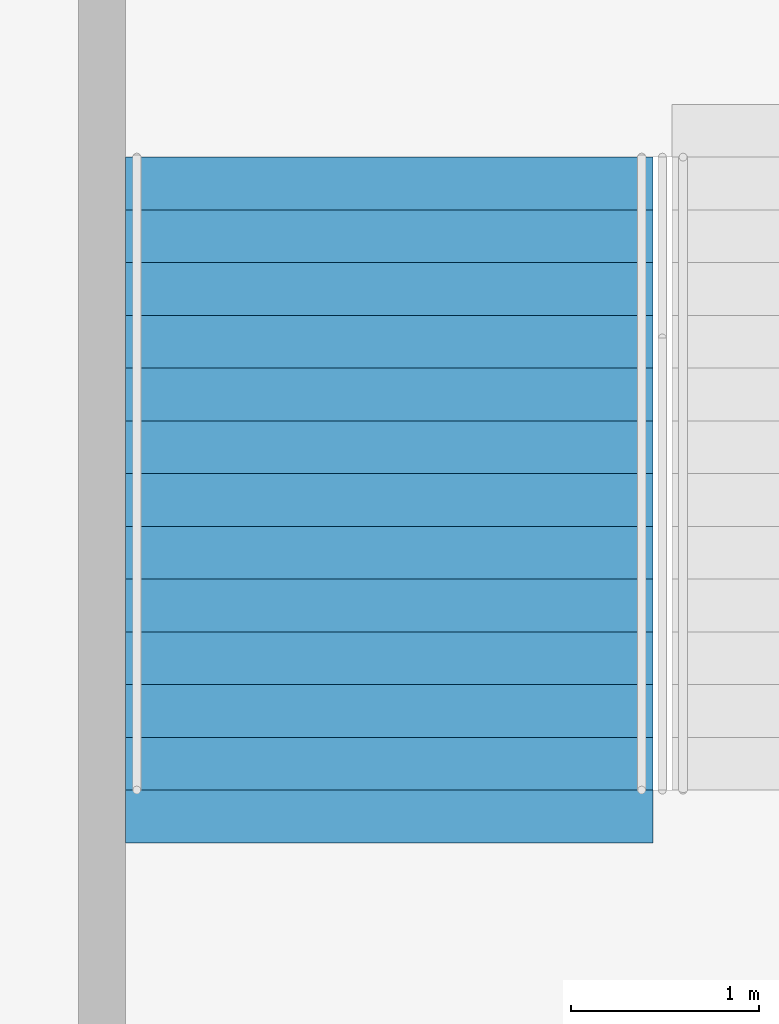
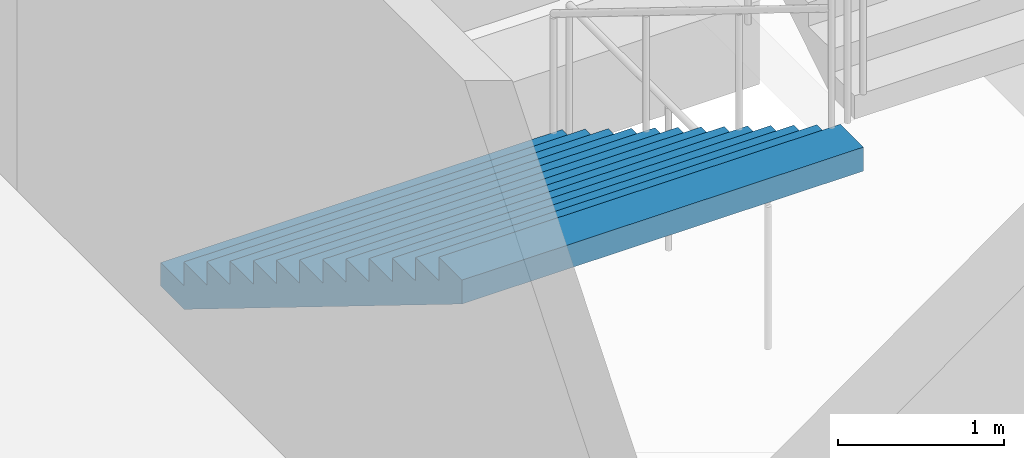
# One storey, part 121 of 199: 1 stair flight, 1 element without a shape of its own.
"""IFC4 building model written with IfcOpenShell, lengths in metres."""

import ifcopenshell
import ifcopenshell.guid

model = None  # the IFC model being written
_history = None  # IfcOwnerHistory: only IFC2X3 demands one
_inside = {}  # id of a spatial element -> (the spatial element, [elements in it])
_under = {}  # id of a project, library or spatial element -> (it, [spatial elements below it])
_declared = {}  # id of a project -> (the project, [libraries it declares])
_typed = {}  # id of a type object -> (the type object, [elements of that type])
_made_of = {}  # id of a material, layer set ... -> (it, [elements and type objects made of it])


def new_model(schema):
    """Start an empty IFC model of exactly this schema.

    Asked for "IFC4X3", IfcOpenShell would pick the latest addendum, in which some entities
    have other attributes; the version numbers below select the first issue.
    IFC2X3 requires an IfcOwnerHistory on every rooted entity: one is made here for all.
    """
    global model, _history
    if schema == "IFC4X3":
        model = ifcopenshell.file(schema_version=(4, 3, 0, 0))
    else:
        model = ifcopenshell.file(schema=schema)
    _inside.clear()
    _under.clear()
    _declared.clear()
    _typed.clear()
    _made_of.clear()
    _history = None
    if model.schema == "IFC2X3":
        org = make("IfcOrganization", Name="unknown")
        user = make(
            "IfcPersonAndOrganization",
            ThePerson=make("IfcPerson", FamilyName="unknown"),
            TheOrganization=org,
        )
        app = make(
            "IfcApplication",
            ApplicationDeveloper=org,
            Version="unknown",
            ApplicationFullName="unknown",
            ApplicationIdentifier="unknown",
        )
        _history = make(
            "IfcOwnerHistory",
            OwningUser=user,
            OwningApplication=app,
            ChangeAction="ADDED",
            CreationDate=0,
        )
    return model


def make(cls, **values):
    """One entity of the class cls with the attributes given. An attribute that is None is left unset."""
    return model.create_entity(
        cls, **{name: value for name, value in values.items() if value is not None}
    )


def rooted(cls, **values):
    """An entity with a GlobalId (a new one), such as an element, a storey or a relation."""
    return make(cls, GlobalId=ifcopenshell.guid.new(), OwnerHistory=_history, **values)


def si_unit(unit_type, name, prefix=None):
    """IfcSIUnit, for example si_unit("LENGTHUNIT", "METRE", prefix="MILLI")."""
    return make("IfcSIUnit", UnitType=unit_type, Prefix=prefix, Name=name)


def assignment(units):
    """IfcUnitAssignment: the units of a project."""
    return None if units is None else make("IfcUnitAssignment", Units=units)


def point(xyz):
    """IfcCartesianPoint."""
    return None if xyz is None else make("IfcCartesianPoint", Coordinates=xyz)


def direction(xyz):
    """IfcDirection."""
    return None if xyz is None else make("IfcDirection", DirectionRatios=xyz)


def frame(location, z_axis=None, x_axis=None):
    """IfcAxis2Placement3D, a coordinate frame: its origin and axes. An axis left out is left unset."""
    return make(
        "IfcAxis2Placement3D",
        Location=point(location),
        Axis=direction(z_axis),
        RefDirection=direction(x_axis),
    )


def origin():
    """The frame at (0, 0, 0) with its axes left unset."""
    return frame((0.0, 0.0, 0.0))


def place(relative_to, where):
    """IfcLocalPlacement: puts the frame where relative to a parent placement (None: the world)."""
    return make(
        "IfcLocalPlacement", PlacementRelTo=relative_to, RelativePlacement=where
    )


def context(
    kind, dimensions, precision=None, world=None, true_north=None, identifier=None
):
    """IfcGeometricRepresentationContext, for example the 3D "Model" context."""
    return make(
        "IfcGeometricRepresentationContext",
        ContextIdentifier=identifier,
        ContextType=kind,
        CoordinateSpaceDimension=dimensions,
        Precision=precision,
        WorldCoordinateSystem=world,
        TrueNorth=true_north,
    )


def subcontext(parent, identifier, kind, view, scale=None):
    """IfcGeometricRepresentationSubContext, for example "Body" below "Model"."""
    return make(
        "IfcGeometricRepresentationSubContext",
        ContextIdentifier=identifier,
        ContextType=kind,
        ParentContext=parent,
        TargetScale=scale,
        TargetView=view,
    )


def project(units=None, contexts=None):
    """IfcProject with its units and contexts."""
    return rooted(
        "IfcProject",
        Name="project",
        RepresentationContexts=contexts,
        UnitsInContext=assignment(units),
    )


def spatial(cls, under=None, at=None, **own):
    """A site, building, storey or space (cls), placed at a placement, below another one or the project."""
    s = rooted(cls, ObjectPlacement=at, **own)
    if under is not None:
        _under.setdefault(under.id(), (under, []))[1].append(s)
    return s


def faces_of(points, faces, orient=None, outer=None):
    """IfcFace entities. A face is a list of loops; a loop is a list of indices into points, from 0.

    orient and outer hold one flag for each loop. By default every Orientation is true, the
    first loop of a face is its IfcFaceOuterBound and the others are IfcFaceBound.
    """
    made = []
    for i, loops in enumerate(faces):
        bounds = []
        for j, loop in enumerate(loops):
            is_outer = j == 0 if outer is None else outer[i][j]
            bounds.append(
                make(
                    "IfcFaceOuterBound" if is_outer else "IfcFaceBound",
                    Bound=make("IfcPolyLoop", Polygon=[points[k] for k in loop]),
                    Orientation=True if orient is None else orient[i][j],
                )
            )
        made.append(make("IfcFace", Bounds=bounds))
    return made


def faceted_brep(points, faces, orient=None, outer=None, voids=None):
    """IfcFacetedBrep: a solid bounded by flat faces; with voids (closed shells), ...WithVoids."""
    shared = [point(p) for p in points]
    hull = make("IfcClosedShell", CfsFaces=faces_of(shared, faces, orient, outer))
    if voids is None:
        return make("IfcFacetedBrep", Outer=hull)
    return make(
        "IfcFacetedBrepWithVoids",
        Outer=hull,
        Voids=[
            make(cls, CfsFaces=faces_of(shared, fs, o, b)) for cls, fs, o, b in voids
        ],
    )


def shape(context_of_items, identifier, shape_type, items):
    """IfcShapeRepresentation: the items that make up one representation, for example the "Body"."""
    return make(
        "IfcShapeRepresentation",
        ContextOfItems=context_of_items,
        RepresentationIdentifier=identifier,
        RepresentationType=shape_type,
        Items=items,
    )


def material(Name=None, Category=None):
    """IfcMaterial."""
    return make("IfcMaterial", Name=Name, Category=Category)


def made_of(thing, what):
    """Note that an element or type object is made of a material, layer set ...; save() writes the relation."""
    if what is not None:
        _made_of.setdefault(what.id(), (what, []))[1].append(thing)
    return thing


def type_object(cls, material=None, **own):
    """A type object (cls), such as IfcWallType, which elements share."""
    return made_of(rooted(cls, **own), material)


def element(
    cls,
    number,
    at=None,
    inside=None,
    cuts=None,
    type_object=None,
    material=None,
    context=None,
    identifier="Body",
    shape_type=None,
    held_by="IfcProductDefinitionShape",
    body=None,
    shapes=None,
    **own,
):
    """One element of the class cls, such as IfcWall. Its Tag is "e" and its number.

    at: its placement. inside: the storey or other place that contains it. cuts: it is an
    opening in that element (IfcRelVoidsElement). A single representation is given by context,
    identifier, shape_type and body (its items); several are given by shapes. held_by: the class
    of the entity that holds the representations. save() writes the other relations.
    """
    e = rooted(cls, Tag="e%d" % number, ObjectPlacement=at, **own)
    if body is not None:
        shapes = [shape(context, identifier, shape_type, body)]
    if shapes is not None:
        e.Representation = make(held_by, Representations=shapes)
    if inside is not None:
        _inside.setdefault(inside.id(), (inside, []))[1].append(e)
    if cuts is not None:
        rooted(
            "IfcRelVoidsElement", RelatingBuildingElement=cuts, RelatedOpeningElement=e
        )
    if type_object is not None:
        _typed.setdefault(type_object.id(), (type_object, []))[1].append(e)
    return made_of(e, material)


def aggregate(whole, parts):
    """IfcRelAggregates: a whole, such as a stair, and the parts it consists of."""
    return rooted("IfcRelAggregates", RelatingObject=whole, RelatedObjects=parts)


def save(model, path):
    """Write the relations noted so far, then the file.

    IfcRelAggregates (storeys below a building ...), IfcRelContainedInSpatialStructure (elements
    in a storey), IfcRelDefinesByType, IfcRelAssociatesMaterial and IfcRelDeclares: one each for
    every whole, place, type object, material and project.
    """
    for whole, parts in _under.values():
        aggregate(whole, parts)
    for where, things in _inside.values():
        rooted(
            "IfcRelContainedInSpatialStructure",
            RelatedElements=things,
            RelatingStructure=where,
        )
    for kind, things in _typed.values():
        rooted("IfcRelDefinesByType", RelatedObjects=things, RelatingType=kind)
    for what, things in _made_of.values():
        rooted("IfcRelAssociatesMaterial", RelatedObjects=things, RelatingMaterial=what)
    for by, libraries in _declared.values():
        rooted("IfcRelDeclares", RelatingContext=by, RelatedDefinitions=libraries)
    model.write(path)


model = new_model("IFC4")

# Units and contexts
model_context = context("Model", 3, precision=1e-05, world=origin(), true_north=direction((0.0, 1.0)))
body_context = subcontext(model_context, "Body", "Model", "MODEL_VIEW")
ifc_project = project(units=[si_unit("LENGTHUNIT", "METRE"), si_unit("AREAUNIT", "SQUARE_METRE"), si_unit("VOLUMEUNIT", "CUBIC_METRE"), si_unit("PLANEANGLEUNIT", "RADIAN"), si_unit("MASSUNIT", "GRAM", prefix="KILO")], contexts=[model_context])

# Site, building, storey
site_placement = place(None, origin())
site = spatial("IfcSite", under=ifc_project, at=site_placement, CompositionType="ELEMENT")
building_placement = place(site_placement, origin())
building = spatial("IfcBuilding", under=site, at=building_placement, Name="Ogive Plaza Stadium", CompositionType="ELEMENT")
storey_placement = place(building_placement, frame((0.0, 0.0, 9.0)))
storey = spatial("IfcBuildingStorey", under=building, at=storey_placement, Name="L02", CompositionType="ELEMENT", Elevation=9.0)

# Stair, stair flight
ifc_material_1 = material(Name="Concrete C40/50", Category="concrete")
stair_type = type_object("IfcStairType", Name="Exit stair", PredefinedType="STRAIGHT_RUN_STAIR", material=ifc_material_1)
stair_placement = place(storey_placement, origin())
stair = element("IfcStair", 1, at=stair_placement, inside=storey, type_object=stair_type, Name="Exit stair ST12A L02 to L03", PredefinedType="STRAIGHT_RUN_STAIR")
ifc_material_2 = material(Name="Concrete C40/50", Category="concrete")
stair_flight_type = type_object("IfcStairFlightType", Name="Exit stair flight", PredefinedType="STRAIGHT", material=ifc_material_2)
stair_flight_placement = place(storey_placement, frame((29.574951171875, -94.85009765625, 0.0), z_axis=(0.0, 0.0, 1.0), x_axis=(0.0, -1.0, 0.0)))
stair_flight = element("IfcStairFlight", 2, at=stair_flight_placement, type_object=stair_flight_type, Name="ST12A flight 1", NumberOfRisers=13, NumberOfTreads=12, PredefinedType="STRAIGHT", RiserHeight=0.173076923, TreadLength=0.28, context=body_context, shape_type="Brep", body=[
    faceted_brep([(0.28515625, -1.39990234375, 0.0), (3.639892578125, -1.39990234375, 2.07373046875), (3.639892578125, -1.39990234375, 2.25), (3.360107421875, -1.39990234375, 2.25), (3.360107421875, -1.39990234375, 2.076904296875), (3.080078125, -1.39990234375, 2.076904296875), (3.080078125, -1.39990234375, 1.90380859375), (2.800048828125, -1.39990234375, 1.90380859375), (2.800048828125, -1.39990234375, 1.730712890625), (2.52001953125, -1.39990234375, 1.730712890625), (2.52001953125, -1.39990234375, 1.5576171875), (2.239990234375, -1.39990234375, 1.5576171875), (2.239990234375, -1.39990234375, 1.384521484375), (1.9599609375, -1.39990234375, 1.384521484375), (1.9599609375, -1.39990234375, 1.21142578125), (1.679931640625, -1.39990234375, 1.21142578125), (1.679931640625, -1.39990234375, 1.03857421875), (1.39990234375, -1.39990234375, 1.03857421875), (1.39990234375, -1.39990234375, 0.865478515625), (1.1201171875, -1.39990234375, 0.865478515625), (1.1201171875, -1.39990234375, 0.6923828125), (0.840087890625, -1.39990234375, 0.6923828125), (0.840087890625, -1.39990234375, 0.519287109375), (0.56005859375, -1.39990234375, 0.519287109375), (0.56005859375, -1.39990234375, 0.34619140625), (0.280029296875, -1.39990234375, 0.34619140625), (0.280029296875, -1.39990234375, 0.173095703125), (0.0, -1.39990234375, 0.173095703125), (0.0, -1.39990234375, 0.0), (0.0, 1.39990234375, 0.0), (0.0, 1.39990234375, 0.173095703125), (0.280029296875, 1.39990234375, 0.173095703125), (0.280029296875, 1.39990234375, 0.34619140625), (0.56005859375, 1.39990234375, 0.34619140625), (0.56005859375, 1.39990234375, 0.519287109375), (0.840087890625, 1.39990234375, 0.519287109375), (0.840087890625, 1.39990234375, 0.6923828125), (1.1201171875, 1.39990234375, 0.6923828125), (1.1201171875, 1.39990234375, 0.865478515625), (1.39990234375, 1.39990234375, 0.865478515625), (1.39990234375, 1.39990234375, 1.03857421875), (1.679931640625, 1.39990234375, 1.03857421875), (1.679931640625, 1.39990234375, 1.21142578125), (1.9599609375, 1.39990234375, 1.21142578125), (1.9599609375, 1.39990234375, 1.384521484375), (2.239990234375, 1.39990234375, 1.384521484375), (2.239990234375, 1.39990234375, 1.5576171875), (2.52001953125, 1.39990234375, 1.5576171875), (2.52001953125, 1.39990234375, 1.730712890625), (2.800048828125, 1.39990234375, 1.730712890625), (2.800048828125, 1.39990234375, 1.90380859375), (3.080078125, 1.39990234375, 1.90380859375), (3.080078125, 1.39990234375, 2.076904296875), (3.360107421875, 1.39990234375, 2.076904296875), (3.360107421875, 1.39990234375, 2.25), (3.639892578125, 1.39990234375, 2.25), (3.639892578125, 1.39990234375, 2.07373046875), (0.28515625, 1.39990234375, 0.0), (0.28515625, -1.0888671875, 0.0), (3.639892578125, -1.0888671875, 2.07373046875), (0.28515625, -0.77783203125, 0.0), (3.639892578125, -0.77783203125, 2.07373046875), (0.28515625, -0.466796875, 0.0), (3.639892578125, -0.466796875, 2.07373046875), (0.28515625, -0.155517578125, 0.0), (3.639892578125, -0.155517578125, 2.07373046875), (0.28515625, 0.155517578125, 0.0), (3.639892578125, 0.155517578125, 2.07373046875), (0.28515625, 0.466796875, 0.0), (3.639892578125, 0.466796875, 2.07373046875), (0.28515625, 0.77783203125, 0.0), (3.639892578125, 0.77783203125, 2.07373046875), (0.28515625, 1.0888671875, 0.0), (3.639892578125, 1.0888671875, 2.07373046875), (3.639892578125, -1.0888671875, 2.25), (3.639892578125, -0.77783203125, 2.25), (3.639892578125, -0.466796875, 2.25), (3.639892578125, -0.155517578125, 2.25), (3.639892578125, 0.155517578125, 2.25), (3.639892578125, 0.466796875, 2.25), (3.639892578125, 0.77783203125, 2.25), (3.639892578125, 1.0888671875, 2.25), (3.360107421875, -1.0888671875, 2.25), (3.360107421875, -0.77783203125, 2.25), (3.360107421875, -0.466796875, 2.25), (3.360107421875, -0.155517578125, 2.25), (3.360107421875, 0.155517578125, 2.25), (3.360107421875, 0.466796875, 2.25), (3.360107421875, 0.77783203125, 2.25), (3.360107421875, 1.0888671875, 2.25), (3.360107421875, -1.0888671875, 2.076904296875), (3.360107421875, -0.77783203125, 2.076904296875), (3.360107421875, -0.466796875, 2.076904296875), (3.360107421875, -0.155517578125, 2.076904296875), (3.360107421875, 0.155517578125, 2.076904296875), (3.360107421875, 0.466796875, 2.076904296875), (3.360107421875, 0.77783203125, 2.076904296875), (3.360107421875, 1.0888671875, 2.076904296875), (3.080078125, -1.0888671875, 2.076904296875), (3.080078125, -0.77783203125, 2.076904296875), (3.080078125, -0.466796875, 2.076904296875), (3.080078125, -0.155517578125, 2.076904296875), (3.080078125, 0.155517578125, 2.076904296875), (3.080078125, 0.466796875, 2.076904296875), (3.080078125, 0.77783203125, 2.076904296875), (3.080078125, 1.0888671875, 2.076904296875), (3.080078125, -1.0888671875, 1.90380859375), (3.080078125, -0.77783203125, 1.90380859375), (3.080078125, -0.466796875, 1.90380859375), (3.080078125, -0.155517578125, 1.90380859375), (3.080078125, 0.155517578125, 1.90380859375), (3.080078125, 0.466796875, 1.90380859375), (3.080078125, 0.77783203125, 1.90380859375), (3.080078125, 1.0888671875, 1.90380859375), (2.800048828125, -1.0888671875, 1.90380859375), (2.800048828125, -0.77783203125, 1.90380859375), (2.800048828125, -0.466796875, 1.90380859375), (2.800048828125, -0.155517578125, 1.90380859375), (2.800048828125, 0.155517578125, 1.90380859375), (2.800048828125, 0.466796875, 1.90380859375), (2.800048828125, 0.77783203125, 1.90380859375), (2.800048828125, 1.0888671875, 1.90380859375), (2.800048828125, -1.0888671875, 1.730712890625), (2.800048828125, -0.77783203125, 1.730712890625), (2.800048828125, -0.466796875, 1.730712890625), (2.800048828125, -0.155517578125, 1.730712890625), (2.800048828125, 0.155517578125, 1.730712890625), (2.800048828125, 0.466796875, 1.730712890625), (2.800048828125, 0.77783203125, 1.730712890625), (2.800048828125, 1.0888671875, 1.730712890625), (2.52001953125, -1.0888671875, 1.730712890625), (2.52001953125, -0.77783203125, 1.730712890625), (2.52001953125, -0.466796875, 1.730712890625), (2.52001953125, -0.155517578125, 1.730712890625), (2.52001953125, 0.155517578125, 1.730712890625), (2.52001953125, 0.466796875, 1.730712890625), (2.52001953125, 0.77783203125, 1.730712890625), (2.52001953125, 1.0888671875, 1.730712890625), (2.52001953125, -1.0888671875, 1.5576171875), (2.52001953125, -0.77783203125, 1.5576171875), (2.52001953125, -0.466796875, 1.5576171875), (2.52001953125, -0.155517578125, 1.5576171875), (2.52001953125, 0.155517578125, 1.5576171875), (2.52001953125, 0.466796875, 1.5576171875), (2.52001953125, 0.77783203125, 1.5576171875), (2.52001953125, 1.0888671875, 1.5576171875), (2.239990234375, -1.0888671875, 1.5576171875), (2.239990234375, -0.77783203125, 1.5576171875), (2.239990234375, -0.466796875, 1.5576171875), (2.239990234375, -0.155517578125, 1.5576171875), (2.239990234375, 0.155517578125, 1.5576171875), (2.239990234375, 0.466796875, 1.5576171875), (2.239990234375, 0.77783203125, 1.5576171875), (2.239990234375, 1.0888671875, 1.5576171875), (2.239990234375, -1.0888671875, 1.384521484375), (2.239990234375, -0.77783203125, 1.384521484375), (2.239990234375, -0.466796875, 1.384521484375), (2.239990234375, -0.155517578125, 1.384521484375), (2.239990234375, 0.155517578125, 1.384521484375), (2.239990234375, 0.466796875, 1.384521484375), (2.239990234375, 0.77783203125, 1.384521484375), (2.239990234375, 1.0888671875, 1.384521484375), (1.9599609375, -1.0888671875, 1.384521484375), (1.9599609375, -0.77783203125, 1.384521484375), (1.9599609375, -0.466796875, 1.384521484375), (1.9599609375, -0.155517578125, 1.384521484375), (1.9599609375, 0.155517578125, 1.384521484375), (1.9599609375, 0.466796875, 1.384521484375), (1.9599609375, 0.77783203125, 1.384521484375), (1.9599609375, 1.0888671875, 1.384521484375), (1.9599609375, -1.0888671875, 1.21142578125), (1.9599609375, -0.77783203125, 1.21142578125), (1.9599609375, -0.466796875, 1.21142578125), (1.9599609375, -0.155517578125, 1.21142578125), (1.9599609375, 0.155517578125, 1.21142578125), (1.9599609375, 0.466796875, 1.21142578125), (1.9599609375, 0.77783203125, 1.21142578125), (1.9599609375, 1.0888671875, 1.21142578125), (1.679931640625, -1.0888671875, 1.21142578125), (1.679931640625, -0.77783203125, 1.21142578125), (1.679931640625, -0.466796875, 1.21142578125), (1.679931640625, -0.155517578125, 1.21142578125), (1.679931640625, 0.155517578125, 1.21142578125), (1.679931640625, 0.466796875, 1.21142578125), (1.679931640625, 0.77783203125, 1.21142578125), (1.679931640625, 1.0888671875, 1.21142578125), (1.679931640625, -1.0888671875, 1.03857421875), (1.679931640625, -0.77783203125, 1.03857421875), (1.679931640625, -0.466796875, 1.03857421875), (1.679931640625, -0.155517578125, 1.03857421875), (1.679931640625, 0.155517578125, 1.03857421875), (1.679931640625, 0.466796875, 1.03857421875), (1.679931640625, 0.77783203125, 1.03857421875), (1.679931640625, 1.0888671875, 1.03857421875), (1.39990234375, -1.0888671875, 1.03857421875), (1.39990234375, -0.77783203125, 1.03857421875), (1.39990234375, -0.466796875, 1.03857421875), (1.39990234375, -0.155517578125, 1.03857421875), (1.39990234375, 0.155517578125, 1.03857421875), (1.39990234375, 0.466796875, 1.03857421875), (1.39990234375, 0.77783203125, 1.03857421875), (1.39990234375, 1.0888671875, 1.03857421875), (1.39990234375, -1.0888671875, 0.865478515625), (1.39990234375, -0.77783203125, 0.865478515625), (1.39990234375, -0.466796875, 0.865478515625), (1.39990234375, -0.155517578125, 0.865478515625), (1.39990234375, 0.155517578125, 0.865478515625), (1.39990234375, 0.466796875, 0.865478515625), (1.39990234375, 0.77783203125, 0.865478515625), (1.39990234375, 1.0888671875, 0.865478515625), (1.1201171875, -1.0888671875, 0.865478515625), (1.1201171875, -0.77783203125, 0.865478515625), (1.1201171875, -0.466796875, 0.865478515625), (1.1201171875, -0.155517578125, 0.865478515625), (1.1201171875, 0.155517578125, 0.865478515625), (1.1201171875, 0.466796875, 0.865478515625), (1.1201171875, 0.77783203125, 0.865478515625), (1.1201171875, 1.0888671875, 0.865478515625), (1.1201171875, -1.0888671875, 0.6923828125), (1.1201171875, -0.77783203125, 0.6923828125), (1.1201171875, -0.466796875, 0.6923828125), (1.1201171875, -0.155517578125, 0.6923828125), (1.1201171875, 0.155517578125, 0.6923828125), (1.1201171875, 0.466796875, 0.6923828125), (1.1201171875, 0.77783203125, 0.6923828125), (1.1201171875, 1.0888671875, 0.6923828125), (0.840087890625, -1.0888671875, 0.6923828125), (0.840087890625, -0.77783203125, 0.6923828125), (0.840087890625, -0.466796875, 0.6923828125), (0.840087890625, -0.155517578125, 0.6923828125), (0.840087890625, 0.155517578125, 0.6923828125), (0.840087890625, 0.466796875, 0.6923828125), (0.840087890625, 0.77783203125, 0.6923828125), (0.840087890625, 1.0888671875, 0.6923828125), (0.840087890625, -1.0888671875, 0.519287109375), (0.840087890625, -0.77783203125, 0.519287109375), (0.840087890625, -0.466796875, 0.519287109375), (0.840087890625, -0.155517578125, 0.519287109375), (0.840087890625, 0.155517578125, 0.519287109375), (0.840087890625, 0.466796875, 0.519287109375), (0.840087890625, 0.77783203125, 0.519287109375), (0.840087890625, 1.0888671875, 0.519287109375), (0.56005859375, -1.0888671875, 0.519287109375), (0.56005859375, -0.77783203125, 0.519287109375), (0.56005859375, -0.466796875, 0.519287109375), (0.56005859375, -0.155517578125, 0.519287109375), (0.56005859375, 0.155517578125, 0.519287109375), (0.56005859375, 0.466796875, 0.519287109375), (0.56005859375, 0.77783203125, 0.519287109375), (0.56005859375, 1.0888671875, 0.519287109375), (0.56005859375, -1.0888671875, 0.34619140625), (0.56005859375, -0.77783203125, 0.34619140625), (0.56005859375, -0.466796875, 0.34619140625), (0.56005859375, -0.155517578125, 0.34619140625), (0.56005859375, 0.155517578125, 0.34619140625), (0.56005859375, 0.466796875, 0.34619140625), (0.56005859375, 0.77783203125, 0.34619140625), (0.56005859375, 1.0888671875, 0.34619140625), (0.280029296875, -1.0888671875, 0.34619140625), (0.280029296875, -0.77783203125, 0.34619140625), (0.280029296875, -0.466796875, 0.34619140625), (0.280029296875, -0.155517578125, 0.34619140625), (0.280029296875, 0.155517578125, 0.34619140625), (0.280029296875, 0.466796875, 0.34619140625), (0.280029296875, 0.77783203125, 0.34619140625), (0.280029296875, 1.0888671875, 0.34619140625), (0.280029296875, -1.0888671875, 0.173095703125), (0.280029296875, -0.77783203125, 0.173095703125), (0.280029296875, -0.466796875, 0.173095703125), (0.280029296875, -0.155517578125, 0.173095703125), (0.280029296875, 0.155517578125, 0.173095703125), (0.280029296875, 0.466796875, 0.173095703125), (0.280029296875, 0.77783203125, 0.173095703125), (0.280029296875, 1.0888671875, 0.173095703125), (0.0, -1.0888671875, 0.173095703125), (0.0, -0.77783203125, 0.173095703125), (0.0, -0.466796875, 0.173095703125), (0.0, -0.155517578125, 0.173095703125), (0.0, 0.155517578125, 0.173095703125), (0.0, 0.466796875, 0.173095703125), (0.0, 0.77783203125, 0.173095703125), (0.0, 1.0888671875, 0.173095703125), (0.0, -1.0888671875, 0.0), (0.0, -0.77783203125, 0.0), (0.0, -0.466796875, 0.0), (0.0, -0.155517578125, 0.0), (0.0, 0.155517578125, 0.0), (0.0, 0.466796875, 0.0), (0.0, 0.77783203125, 0.0), (0.0, 1.0888671875, 0.0)], [[[0, 1, 2, 3, 4, 5, 6, 7, 8, 9, 10, 11, 12, 13, 14, 15, 16, 17, 18, 19, 20, 21, 22, 23, 24, 25, 26, 27, 28]], [[29, 30, 31, 32, 33, 34, 35, 36, 37, 38, 39, 40, 41, 42, 43, 44, 45, 46, 47, 48, 49, 50, 51, 52, 53, 54, 55, 56, 57]], [[0, 58, 59, 1]], [[58, 60, 61, 59]], [[60, 62, 63, 61]], [[62, 64, 65, 63]], [[64, 66, 67, 65]], [[66, 68, 69, 67]], [[68, 70, 71, 69]], [[70, 72, 73, 71]], [[72, 57, 56, 73]], [[1, 59, 74, 2]], [[59, 61, 75, 74]], [[61, 63, 76, 75]], [[63, 65, 77, 76]], [[65, 67, 78, 77]], [[67, 69, 79, 78]], [[69, 71, 80, 79]], [[71, 73, 81, 80]], [[73, 56, 55, 81]], [[2, 74, 82, 3]], [[74, 75, 83, 82]], [[75, 76, 84, 83]], [[76, 77, 85, 84]], [[77, 78, 86, 85]], [[78, 79, 87, 86]], [[79, 80, 88, 87]], [[80, 81, 89, 88]], [[81, 55, 54, 89]], [[3, 82, 90, 4]], [[82, 83, 91, 90]], [[83, 84, 92, 91]], [[84, 85, 93, 92]], [[85, 86, 94, 93]], [[86, 87, 95, 94]], [[87, 88, 96, 95]], [[88, 89, 97, 96]], [[89, 54, 53, 97]], [[4, 90, 98, 5]], [[90, 91, 99, 98]], [[91, 92, 100, 99]], [[92, 93, 101, 100]], [[93, 94, 102, 101]], [[94, 95, 103, 102]], [[95, 96, 104, 103]], [[96, 97, 105, 104]], [[97, 53, 52, 105]], [[5, 98, 106, 6]], [[98, 99, 107, 106]], [[99, 100, 108, 107]], [[100, 101, 109, 108]], [[101, 102, 110, 109]], [[102, 103, 111, 110]], [[103, 104, 112, 111]], [[104, 105, 113, 112]], [[105, 52, 51, 113]], [[6, 106, 114, 7]], [[106, 107, 115, 114]], [[107, 108, 116, 115]], [[108, 109, 117, 116]], [[109, 110, 118, 117]], [[110, 111, 119, 118]], [[111, 112, 120, 119]], [[112, 113, 121, 120]], [[113, 51, 50, 121]], [[7, 114, 122, 8]], [[114, 115, 123, 122]], [[115, 116, 124, 123]], [[116, 117, 125, 124]], [[117, 118, 126, 125]], [[118, 119, 127, 126]], [[119, 120, 128, 127]], [[120, 121, 129, 128]], [[121, 50, 49, 129]], [[8, 122, 130, 9]], [[122, 123, 131, 130]], [[123, 124, 132, 131]], [[124, 125, 133, 132]], [[125, 126, 134, 133]], [[126, 127, 135, 134]], [[127, 128, 136, 135]], [[128, 129, 137, 136]], [[129, 49, 48, 137]], [[9, 130, 138, 10]], [[130, 131, 139, 138]], [[131, 132, 140, 139]], [[132, 133, 141, 140]], [[133, 134, 142, 141]], [[134, 135, 143, 142]], [[135, 136, 144, 143]], [[136, 137, 145, 144]], [[137, 48, 47, 145]], [[10, 138, 146, 11]], [[138, 139, 147, 146]], [[139, 140, 148, 147]], [[140, 141, 149, 148]], [[141, 142, 150, 149]], [[142, 143, 151, 150]], [[143, 144, 152, 151]], [[144, 145, 153, 152]], [[145, 47, 46, 153]], [[11, 146, 154, 12]], [[146, 147, 155, 154]], [[147, 148, 156, 155]], [[148, 149, 157, 156]], [[149, 150, 158, 157]], [[150, 151, 159, 158]], [[151, 152, 160, 159]], [[152, 153, 161, 160]], [[153, 46, 45, 161]], [[12, 154, 162, 13]], [[154, 155, 163, 162]], [[155, 156, 164, 163]], [[156, 157, 165, 164]], [[157, 158, 166, 165]], [[158, 159, 167, 166]], [[159, 160, 168, 167]], [[160, 161, 169, 168]], [[161, 45, 44, 169]], [[13, 162, 170, 14]], [[162, 163, 171, 170]], [[163, 164, 172, 171]], [[164, 165, 173, 172]], [[165, 166, 174, 173]], [[166, 167, 175, 174]], [[167, 168, 176, 175]], [[168, 169, 177, 176]], [[169, 44, 43, 177]], [[14, 170, 178, 15]], [[170, 171, 179, 178]], [[171, 172, 180, 179]], [[172, 173, 181, 180]], [[173, 174, 182, 181]], [[174, 175, 183, 182]], [[175, 176, 184, 183]], [[176, 177, 185, 184]], [[177, 43, 42, 185]], [[15, 178, 186, 16]], [[178, 179, 187, 186]], [[179, 180, 188, 187]], [[180, 181, 189, 188]], [[181, 182, 190, 189]], [[182, 183, 191, 190]], [[183, 184, 192, 191]], [[184, 185, 193, 192]], [[185, 42, 41, 193]], [[16, 186, 194, 17]], [[186, 187, 195, 194]], [[187, 188, 196, 195]], [[188, 189, 197, 196]], [[189, 190, 198, 197]], [[190, 191, 199, 198]], [[191, 192, 200, 199]], [[192, 193, 201, 200]], [[193, 41, 40, 201]], [[17, 194, 202, 18]], [[194, 195, 203, 202]], [[195, 196, 204, 203]], [[196, 197, 205, 204]], [[197, 198, 206, 205]], [[198, 199, 207, 206]], [[199, 200, 208, 207]], [[200, 201, 209, 208]], [[201, 40, 39, 209]], [[18, 202, 210, 19]], [[202, 203, 211, 210]], [[203, 204, 212, 211]], [[204, 205, 213, 212]], [[205, 206, 214, 213]], [[206, 207, 215, 214]], [[207, 208, 216, 215]], [[208, 209, 217, 216]], [[209, 39, 38, 217]], [[19, 210, 218, 20]], [[210, 211, 219, 218]], [[211, 212, 220, 219]], [[212, 213, 221, 220]], [[213, 214, 222, 221]], [[214, 215, 223, 222]], [[215, 216, 224, 223]], [[216, 217, 225, 224]], [[217, 38, 37, 225]], [[20, 218, 226, 21]], [[218, 219, 227, 226]], [[219, 220, 228, 227]], [[220, 221, 229, 228]], [[221, 222, 230, 229]], [[222, 223, 231, 230]], [[223, 224, 232, 231]], [[224, 225, 233, 232]], [[225, 37, 36, 233]], [[21, 226, 234, 22]], [[226, 227, 235, 234]], [[227, 228, 236, 235]], [[228, 229, 237, 236]], [[229, 230, 238, 237]], [[230, 231, 239, 238]], [[231, 232, 240, 239]], [[232, 233, 241, 240]], [[233, 36, 35, 241]], [[22, 234, 242, 23]], [[234, 235, 243, 242]], [[235, 236, 244, 243]], [[236, 237, 245, 244]], [[237, 238, 246, 245]], [[238, 239, 247, 246]], [[239, 240, 248, 247]], [[240, 241, 249, 248]], [[241, 35, 34, 249]], [[23, 242, 250, 24]], [[242, 243, 251, 250]], [[243, 244, 252, 251]], [[244, 245, 253, 252]], [[245, 246, 254, 253]], [[246, 247, 255, 254]], [[247, 248, 256, 255]], [[248, 249, 257, 256]], [[249, 34, 33, 257]], [[24, 250, 258, 25]], [[250, 251, 259, 258]], [[251, 252, 260, 259]], [[252, 253, 261, 260]], [[253, 254, 262, 261]], [[254, 255, 263, 262]], [[255, 256, 264, 263]], [[256, 257, 265, 264]], [[257, 33, 32, 265]], [[25, 258, 266, 26]], [[258, 259, 267, 266]], [[259, 260, 268, 267]], [[260, 261, 269, 268]], [[261, 262, 270, 269]], [[262, 263, 271, 270]], [[263, 264, 272, 271]], [[264, 265, 273, 272]], [[265, 32, 31, 273]], [[26, 266, 274, 27]], [[266, 267, 275, 274]], [[267, 268, 276, 275]], [[268, 269, 277, 276]], [[269, 270, 278, 277]], [[270, 271, 279, 278]], [[271, 272, 280, 279]], [[272, 273, 281, 280]], [[273, 31, 30, 281]], [[27, 274, 282, 28]], [[274, 275, 283, 282]], [[275, 276, 284, 283]], [[276, 277, 285, 284]], [[277, 278, 286, 285]], [[278, 279, 287, 286]], [[279, 280, 288, 287]], [[280, 281, 289, 288]], [[281, 30, 29, 289]], [[28, 282, 58, 0]], [[282, 283, 60, 58]], [[283, 284, 62, 60]], [[284, 285, 64, 62]], [[285, 286, 66, 64]], [[286, 287, 68, 66]], [[287, 288, 70, 68]], [[288, 289, 72, 70]], [[289, 29, 57, 72]]]),
])
aggregate(stair, [stair_flight])

save(model, "model.ifc")
